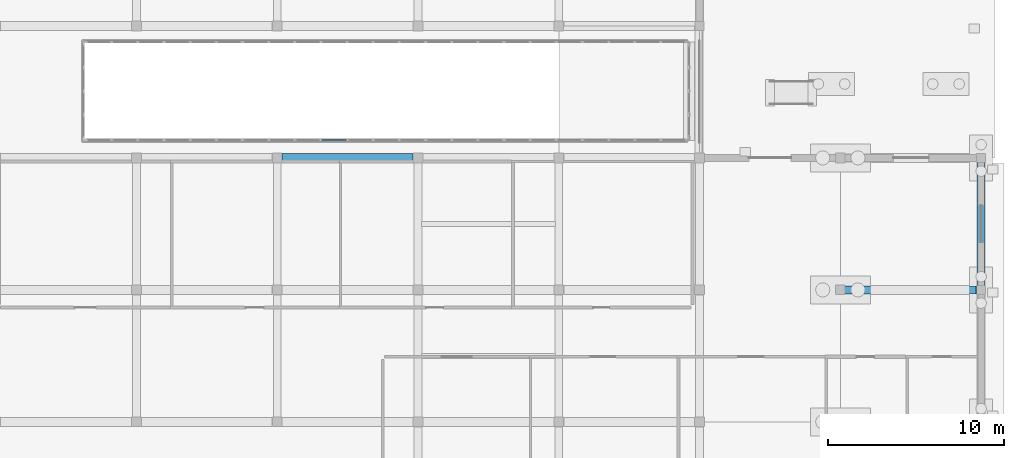
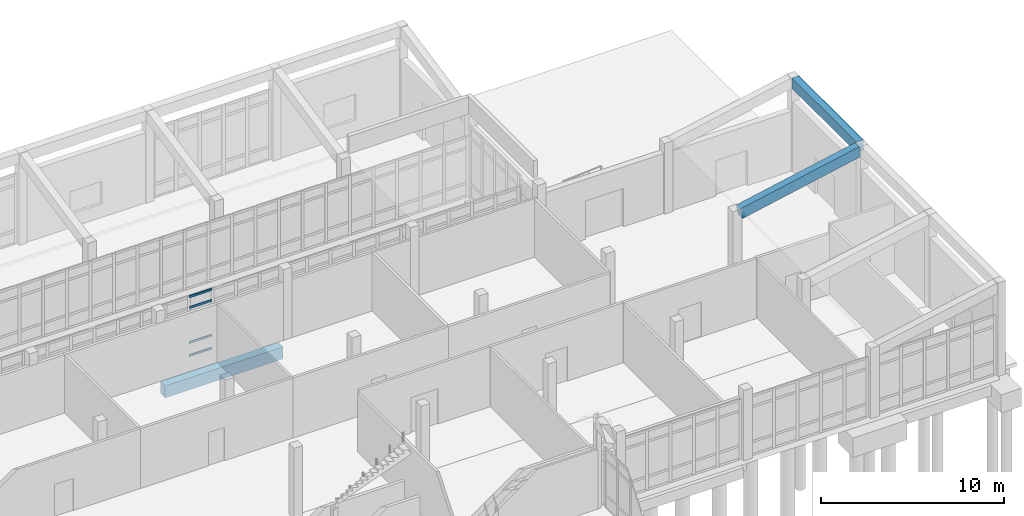
# One storey, part 115 of 173: 4 members, 3 beams, 1 element without a shape of its own.
"""IFC4 building model written with IfcOpenShell, lengths in metres."""

from ifc_helpers import new_model, si_unit, direction, frame, origin, origin_2d, place, context, subcontext, project, spatial, rectangle, hollow_rectangle, extrude, material, layer, layer_set, material_profile, profile_set, type_object, element, aggregate, save


model = new_model("IFC4")

# Units and contexts
model_context = context("Model", 3, precision=1e-05, world=origin(), true_north=direction((0.0, 1.0)))
body_context = subcontext(model_context, "Body", "Model", "MODEL_VIEW")
ifc_project = project(units=[si_unit("LENGTHUNIT", "METRE"), si_unit("AREAUNIT", "SQUARE_METRE"), si_unit("VOLUMEUNIT", "CUBIC_METRE"), si_unit("PLANEANGLEUNIT", "RADIAN"), si_unit("MASSUNIT", "GRAM", prefix="KILO")], contexts=[model_context])

# Site, building, storey
site_placement = place(None, origin())
site = spatial("IfcSite", under=ifc_project, at=site_placement, CompositionType="ELEMENT")
building_placement = place(site_placement, origin())
building = spatial("IfcBuilding", under=site, at=building_placement, Name="Mawjan Specialist Oncology Clinic", CompositionType="ELEMENT")
storey_placement = place(building_placement, origin())
storey = spatial("IfcBuildingStorey", under=building, at=storey_placement, Name="L00", CompositionType="ELEMENT", Elevation=0.0)

# Beams
ifc_material_1 = material(Name="Concrete C40/50", Category="concrete")
ifc_material_profile_1 = material_profile(ifc_material_1, rectangle(XDim=0.449951171875, YDim=0.699951171875, at=origin_2d()), Name="RC BM 450x700", Category="concrete")
ifc_profile_set_1 = profile_set([ifc_material_profile_1], Name="Concrete C40/50")
beam_type_1 = type_object("IfcBeamType", Name="BM-450x700", PredefinedType="BEAM", material=ifc_profile_set_1)
beam_1_placement = place(storey_placement, frame((156.260009765625, 90.800048828125, 4.35009765625), z_axis=(0.979950378774, 0.0, 0.199241700304), x_axis=(0.0, 1.0, 0.0)))
element("IfcBeam", 1, at=beam_1_placement, inside=storey, type_object=beam_type_1, Name="L00 Roof Framing Beam BM-RF-L00-1255", PredefinedType="BEAM", context=body_context, shape_type="SweptSolid", body=[
    extrude(rectangle(XDim=0.449951171875, YDim=0.699951171875, at=origin_2d()), origin(), (0.0, 0.0, 1.0), 7.658447265625),
])
beam_2_placement = place(storey_placement, frame((164.0, 91.034912109375, 5.8759765625), z_axis=(0.0, 1.0, 0.0), x_axis=(-1.0, 0.0, 0.0)))
element("IfcBeam", 2, at=beam_2_placement, inside=storey, type_object=beam_type_1, Name="L00 Roof Framing Beam BM-RF-L00-1283", PredefinedType="BEAM", context=body_context, shape_type="SweptSolid", body=[
    extrude(rectangle(XDim=0.449951171875, YDim=0.699951171875, at=origin_2d()), origin(), (0.0, 0.0, 1.0), 7.030029296875),
])
ifc_material_2 = material(Name="Concrete C45/55", Category="concrete")
ifc_material_profile_2 = material_profile(ifc_material_2, rectangle(XDim=0.5, YDim=0.800048828125, at=origin_2d()), Name="RC BM 500x800", Category="concrete")
ifc_profile_set_2 = profile_set([ifc_material_profile_2], Name="Concrete C45/55")
beam_type_2 = type_object("IfcBeamType", Name="BM-500x800", PredefinedType="BEAM", material=ifc_profile_set_2)
beam_3_placement = place(storey_placement, frame((124.284912109375, 98.300048828125, -0.85009765625), z_axis=(1.0, 0.0, 0.0), x_axis=(0.0, 1.0, 0.0)))
element("IfcBeam", 3, at=beam_3_placement, inside=storey, type_object=beam_type_2, Name="L00 Collector Beam BM-L00-0078", PredefinedType="BEAM", context=body_context, shape_type="SweptSolid", body=[
    extrude(rectangle(XDim=0.5, YDim=0.800048828125, at=origin_2d()), origin(), (0.0, 0.0, 1.0), 7.43017578125),
])

# Curtain wall, members
ifc_material_3 = material(Name="Unitised spectrally selective aluminium curtain wall", Category="aluminium")
ifc_layer = layer(ifc_material_3, 0.179931640625, Name="Unitised spectrally selective aluminium curtain wall", Category="aluminium")
ifc_layer_set = layer_set([ifc_layer], Name="Unitised spectrally selective aluminium curtain wall")
curtain_wall_type = type_object("IfcCurtainWallType", Name="CW-33", PredefinedType="NOTDEFINED", material=ifc_layer_set)
curtain_wall_placement = place(storey_placement, origin())
curtain_wall = element("IfcCurtainWall", 4, at=curtain_wall_placement, inside=storey, type_object=curtain_wall_type, Name="L00 Unitised Curtain Wall CW-L00-074", PredefinedType="NOTDEFINED")
ifc_material_4 = material(Name="Thermally broken aluminium 6063-T6", Category="aluminium")
ifc_material_profile_3 = material_profile(ifc_material_4, hollow_rectangle(XDim=0.06494140625, YDim=0.139892578125, WallThickness=0.00390625, at=origin_2d()), Name="ALU TRANSOM 140x65x4", Category="aluminium")
ifc_profile_set_3 = profile_set([ifc_material_profile_3], Name="Thermally broken aluminium 6063-T6")
member_type = type_object("IfcMemberType", Name="CW-T140", PredefinedType="USERDEFINED", material=ifc_profile_set_3)
member_1_placement = place(storey_placement, frame((126.517333984375, 99.300048828125, 0.032470703125), z_axis=(1.0, 0.0, 0.0), x_axis=(0.0, 1.0, 0.0)))
member_1 = element("IfcMember", 5, at=member_1_placement, type_object=member_type, Name="CW-33 transom 10.1", ObjectType="TRANSOM", PredefinedType="USERDEFINED", context=body_context, shape_type="SweptSolid", body=[
    extrude(hollow_rectangle(XDim=0.06494140625, YDim=0.139892578125, WallThickness=0.00390625, at=origin_2d()), origin(), (0.0, 0.0, 1.0), 1.421142578125),
])
member_2_placement = place(storey_placement, frame((126.517333984375, 99.300048828125, 0.89990234375), z_axis=(1.0, 0.0, 0.0), x_axis=(0.0, 1.0, 0.0)))
member_2 = element("IfcMember", 6, at=member_2_placement, type_object=member_type, Name="CW-33 transom 10.2", ObjectType="TRANSOM", PredefinedType="USERDEFINED", context=body_context, shape_type="SweptSolid", body=[
    extrude(hollow_rectangle(XDim=0.06494140625, YDim=0.139892578125, WallThickness=0.00390625, at=origin_2d()), origin(), (0.0, 0.0, 1.0), 1.421142578125),
])
member_3_placement = place(storey_placement, frame((126.517333984375, 99.300048828125, 3.235107421875), z_axis=(1.0, 0.0, 0.0), x_axis=(0.0, 1.0, 0.0)))
member_3 = element("IfcMember", 7, at=member_3_placement, type_object=member_type, Name="CW-33 transom 10.3", ObjectType="TRANSOM", PredefinedType="USERDEFINED", context=body_context, shape_type="SweptSolid", body=[
    extrude(hollow_rectangle(XDim=0.06494140625, YDim=0.139892578125, WallThickness=0.00390625, at=origin_2d()), origin(), (0.0, 0.0, 1.0), 1.421142578125),
])
member_4_placement = place(storey_placement, frame((126.517333984375, 99.300048828125, 3.952392578125), z_axis=(1.0, 0.0, 0.0), x_axis=(0.0, 1.0, 0.0)))
member_4 = element("IfcMember", 8, at=member_4_placement, type_object=member_type, Name="CW-33 transom 10.4", ObjectType="TRANSOM", PredefinedType="USERDEFINED", context=body_context, shape_type="SweptSolid", body=[
    extrude(hollow_rectangle(XDim=0.06494140625, YDim=0.139892578125, WallThickness=0.00390625, at=origin_2d()), origin(), (0.0, 0.0, 1.0), 1.421142578125),
])
aggregate(curtain_wall, [member_1, member_2, member_3, member_4])

save(model, "model.ifc")
